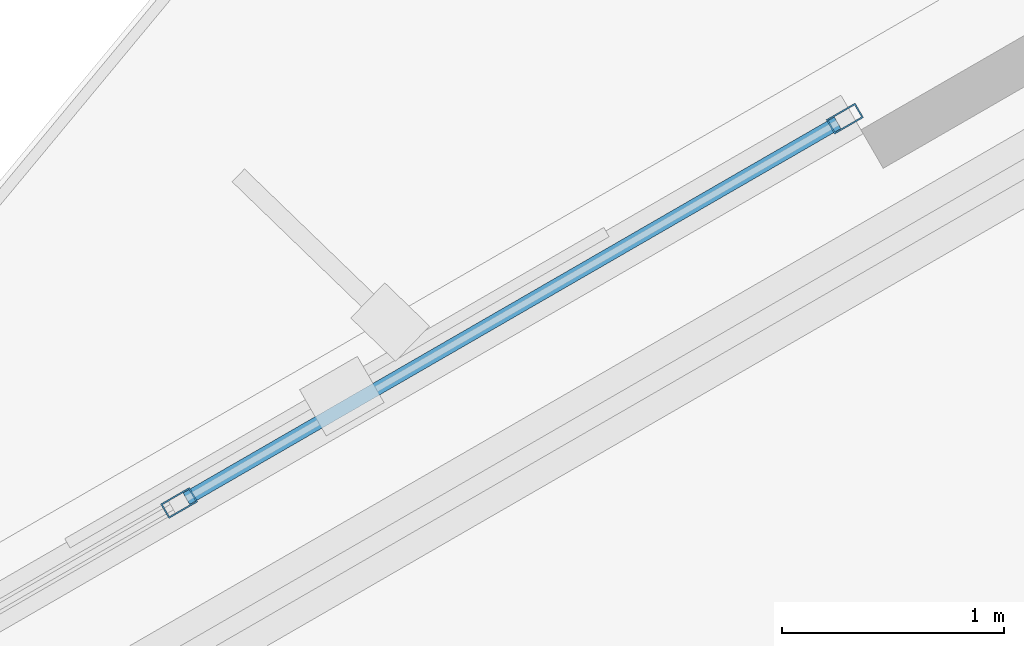
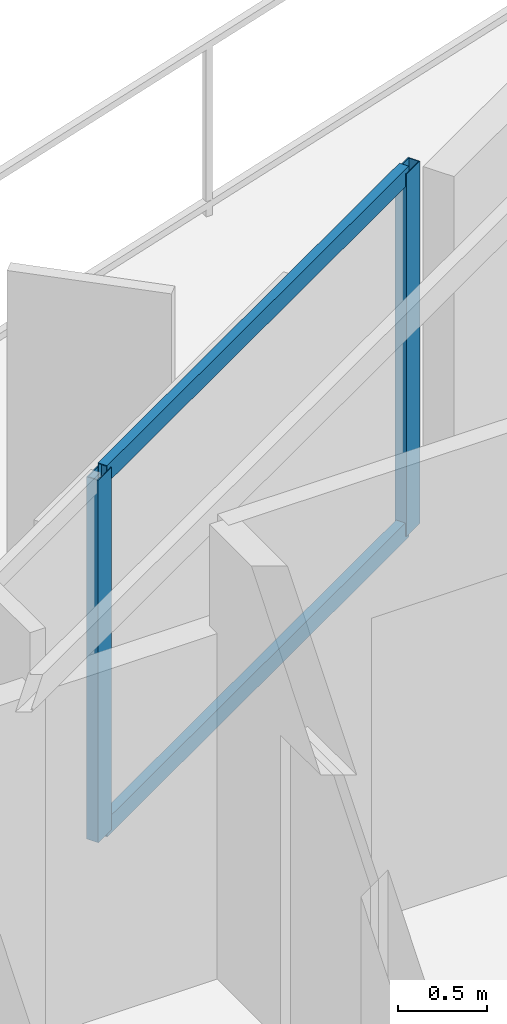
# One storey, part 10 of 18: 4 members, 1 element without a shape of its own.
"""IFC4 building model written with IfcOpenShell, lengths in metres."""

from ifc_helpers import new_model, si_unit, direction, frame, origin, origin_2d, place, context, subcontext, project, spatial, hollow_rectangle, extrude, material, layer, layer_set, material_profile, profile_set, type_object, element, aggregate, save


model = new_model("IFC4")

# Units and contexts
model_context = context("Model", 3, precision=1e-05, world=origin(), true_north=direction((0.0, 1.0)))
body_context = subcontext(model_context, "Body", "Model", "MODEL_VIEW")
ifc_project = project(units=[si_unit("LENGTHUNIT", "METRE"), si_unit("AREAUNIT", "SQUARE_METRE"), si_unit("VOLUMEUNIT", "CUBIC_METRE"), si_unit("PLANEANGLEUNIT", "RADIAN"), si_unit("MASSUNIT", "GRAM", prefix="KILO")], contexts=[model_context])

# Site, building, storey
site_placement = place(None, origin())
site = spatial("IfcSite", under=ifc_project, at=site_placement, CompositionType="ELEMENT")
building_placement = place(site_placement, origin())
building = spatial("IfcBuilding", under=site, at=building_placement, Name="Mersakhor Tower and Convention Hall", CompositionType="ELEMENT")
storey_placement = place(building_placement, frame((0.0, 0.0, 137.699951171875)))
storey = spatial("IfcBuildingStorey", under=building, at=storey_placement, Name="L38", CompositionType="ELEMENT", Elevation=137.699951171875)

# Curtain wall, members
ifc_material_1 = material(Name="Dark solar low-E aluminium curtain wall", Category="aluminium")
ifc_layer = layer(ifc_material_1, 0.169921875)
ifc_layer_set = layer_set([ifc_layer], Name="Dark solar low-E aluminium curtain wall")
curtain_wall_type = type_object("IfcCurtainWallType", Name="CW-SYS-02", PredefinedType="USERDEFINED", material=ifc_layer_set)
curtain_wall_placement = place(storey_placement, origin())
curtain_wall = element("IfcCurtainWall", 1, at=curtain_wall_placement, inside=storey, type_object=curtain_wall_type, Name="L38 Dark-Glass Curtain Wall F1-B2", ObjectType="CURTAIN WALL", PredefinedType="USERDEFINED")
ifc_material_2 = material(Name="Anodised aluminium EN AW-6063 T6", Category="aluminium")
ifc_material_profile_1 = material_profile(ifc_material_2, hollow_rectangle(XDim=0.074951171875, YDim=0.14990234375, WallThickness=0.00634765625, at=origin_2d()), Name="RHS 150x75x6.3")
ifc_profile_set_1 = profile_set([ifc_material_profile_1], Name="Anodised aluminium EN AW-6063 T6")
member_type_1 = type_object("IfcMemberType", Name="CWM-150x75", PredefinedType="MULLION", material=ifc_profile_set_1)
member_1_placement = place(storey_placement, frame((23.904052734375, 39.072021484375, 0.199951171875), z_axis=(0.0, 0.0, 1.0), x_axis=(-0.499990468363, 0.866030906807, 0.0)))
member_1 = element("IfcMember", 2, at=member_1_placement, type_object=member_type_1, Name="CW-02 mullion 3", PredefinedType="MULLION", context=body_context, shape_type="SweptSolid", body=[
    extrude(hollow_rectangle(XDim=0.074951171875, YDim=0.14990234375, WallThickness=0.00634765625, at=origin_2d()), origin(), (0.0, 0.0, 1.0), 2.47998046875),
])
member_2_placement = place(storey_placement, frame((26.8984375, 40.80078125, 0.199951171875), z_axis=(0.0, 0.0, 1.0), x_axis=(-0.499990468363, 0.866030906807, 0.0)))
member_2 = element("IfcMember", 3, at=member_2_placement, type_object=member_type_1, Name="CW-02 mullion 4", PredefinedType="MULLION", context=body_context, shape_type="SweptSolid", body=[
    extrude(hollow_rectangle(XDim=0.074951171875, YDim=0.14990234375, WallThickness=0.00634765625, at=origin_2d()), origin(), (0.0, 0.0, 1.0), 2.47998046875),
])
ifc_material_3 = material(Name="Anodised aluminium EN AW-6063 T6", Category="aluminium")
ifc_material_profile_2 = material_profile(ifc_material_3, hollow_rectangle(XDim=0.06005859375, YDim=0.1201171875, WallThickness=0.0048828125, at=origin_2d()), Name="RHS 120x60x5")
ifc_profile_set_2 = profile_set([ifc_material_profile_2], Name="Anodised aluminium EN AW-6063 T6")
member_type_2 = type_object("IfcMemberType", Name="CWT-120x60", PredefinedType="USERDEFINED", material=ifc_profile_set_2)
member_3_placement = place(storey_placement, frame((23.9365234375, 39.0908203125, 0.22998046875), z_axis=(0.866044963944, 0.49996611928, 0.0), x_axis=(-0.49996611928, 0.866044963944, 0.0)))
member_3 = element("IfcMember", 4, at=member_3_placement, type_object=member_type_2, Name="CW-02 transom 3.1", ObjectType="TRANSOM", PredefinedType="USERDEFINED", context=body_context, shape_type="SweptSolid", body=[
    extrude(hollow_rectangle(XDim=0.06005859375, YDim=0.1201171875, WallThickness=0.0048828125, at=origin_2d()), origin(), (0.0, 0.0, 1.0), 3.382568359375),
])
member_4_placement = place(storey_placement, frame((23.9365234375, 39.0908203125, 2.650146484375), z_axis=(0.866044963944, 0.49996611928, 0.0), x_axis=(-0.49996611928, 0.866044963944, 0.0)))
member_4 = element("IfcMember", 5, at=member_4_placement, type_object=member_type_2, Name="CW-02 transom 3.2", ObjectType="TRANSOM", PredefinedType="USERDEFINED", context=body_context, shape_type="SweptSolid", body=[
    extrude(hollow_rectangle(XDim=0.06005859375, YDim=0.1201171875, WallThickness=0.0048828125, at=origin_2d()), origin(), (0.0, 0.0, 1.0), 3.382568359375),
])
aggregate(curtain_wall, [member_1, member_2, member_3, member_4])

save(model, "model.ifc")
